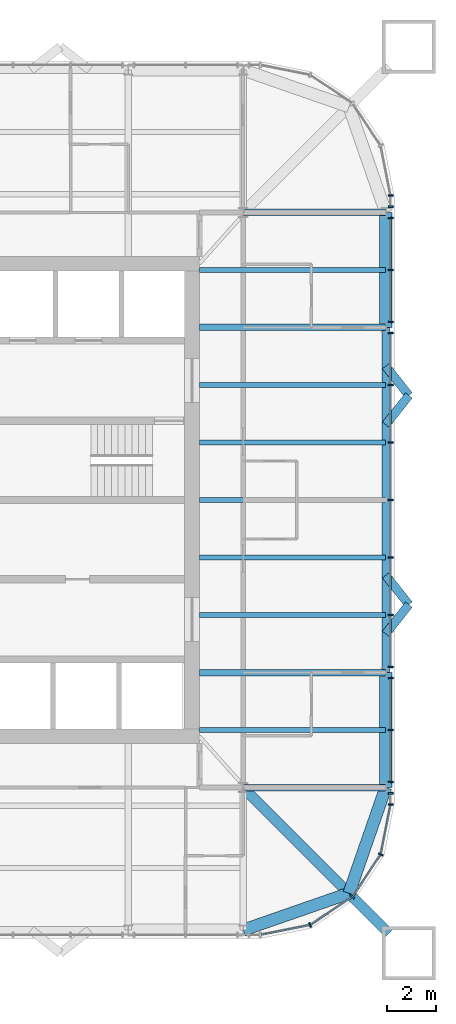
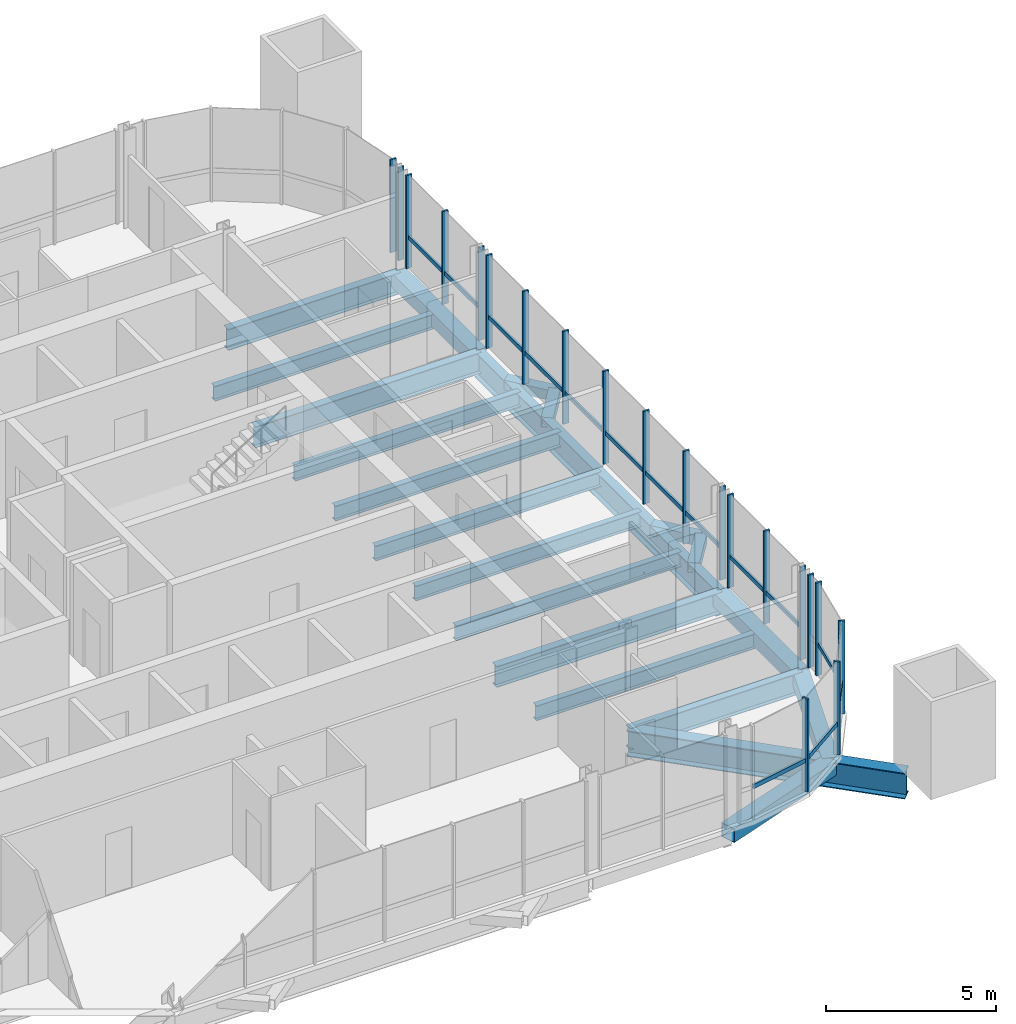
# One storey, part 5 of 17: 34 members, 21 beams, 6 elements without a shape of their own.
"""IFC4 building model written with IfcOpenShell, lengths in metres."""

from ifc_helpers import new_model, si_unit, direction, frame, origin, origin_2d, place, context, subcontext, project, spatial, rectangle, hollow_rectangle, i_section, extrude, material, material_profile, profile_set, type_object, element, aggregate, save


model = new_model("IFC4")

# Units and contexts
model_context = context("Model", 3, precision=1e-05, world=origin(), true_north=direction((0.0, 1.0)))
body_context = subcontext(model_context, "Body", "Model", "MODEL_VIEW")
ifc_project = project(units=[si_unit("LENGTHUNIT", "METRE"), si_unit("AREAUNIT", "SQUARE_METRE"), si_unit("VOLUMEUNIT", "CUBIC_METRE"), si_unit("PLANEANGLEUNIT", "RADIAN"), si_unit("MASSUNIT", "GRAM", prefix="KILO")], contexts=[model_context])

# Site, building, storey
site_placement = place(None, origin())
site = spatial("IfcSite", under=ifc_project, at=site_placement, CompositionType="ELEMENT")
building_placement = place(site_placement, origin())
building = spatial("IfcBuilding", under=site, at=building_placement, Name="Turquesa Mirador Hotel Tower", CompositionType="ELEMENT")
storey_placement = place(building_placement, frame((0.0, 0.0, 244.199951171875)))
storey = spatial("IfcBuildingStorey", under=building, at=storey_placement, Name="L66", CompositionType="ELEMENT", Elevation=244.199951171875)

# Beams
ifc_material_1 = material(Name="Steel ASTM A572 Grade 50", Category="steel")
ifc_material_profile_1 = material_profile(ifc_material_1, hollow_rectangle(XDim=0.5, YDim=0.5, WallThickness=0.01611328125, at=origin_2d()), Name="BOX500X500X16")
ifc_profile_set_1 = profile_set([ifc_material_profile_1], Name="Steel ASTM A572 Grade 50")
beam_type_1 = type_object("IfcBeamType", Name="BEAM BOX500X500X16", PredefinedType="BEAM", material=ifc_profile_set_1)
for number, where, z_axis, x_axis, name in (
    (1, (72.64990234375, 33.199951171875, -0.419921875), (0.0, 1.0, 0.0), (-1.0, 0.0, 0.0), "EB-L66-E-L"),
    (2, (72.64990234375, 52.080078125, -0.419921875), (0.0, 1.0, 0.0), (-1.0, 0.0, 0.0), "EB-L66-E-R"),
):
    element("IfcBeam", number, at=place(storey_placement, frame(where, z_axis=z_axis, x_axis=x_axis)), inside=storey, type_object=beam_type_1, Name=name, PredefinedType="BEAM", context=body_context, shape_type="SweptSolid", body=[
        extrude(hollow_rectangle(XDim=0.5, YDim=0.5, WallThickness=0.01611328125, at=origin_2d()), origin(), (0.0, 0.0, 1.0), 4.719970703125),
    ])
for number, where, z_axis, x_axis, name in (
    (3, (72.64990234375, 33.199951171875, -0.419921875), (-0.328170356092, -0.944618556552, 0.0), (0.944618556552, -0.328170356092, 0.0), "KE-L66-4-0"),
    (4, (71.1416015625, 28.8583984375, -0.419921875), (-0.944618556552, -0.328170356092, 0.0), (0.328170356092, -0.944618556552, 0.0), "KE-L66-4-1"),
):
    element("IfcBeam", number, at=place(storey_placement, frame(where, z_axis=z_axis, x_axis=x_axis)), inside=storey, type_object=beam_type_1, Name=name, PredefinedType="BEAM", context=body_context, shape_type="SweptSolid", body=[
        extrude(hollow_rectangle(XDim=0.5, YDim=0.5, WallThickness=0.01611328125, at=origin_2d()), origin(), (0.0, 0.0, 1.0), 4.59619140625),
    ])
ifc_material_2 = material(Name="Steel ASTM A992 Grade 50", Category="steel")
ifc_material_profile_2 = material_profile(ifc_material_2, i_section(OverallWidth=0.209228515625, OverallDepth=0.533447265625, WebThickness=0.01025390625, FlangeThickness=0.015625, at=origin_2d()), Name="W21X62")
ifc_profile_set_2 = profile_set([ifc_material_profile_2], Name="Steel ASTM A992 Grade 50")
beam_type_2 = type_object("IfcBeamType", Name="BEAM W21X62", PredefinedType="BEAM", material=ifc_profile_set_2)
for number, where, z_axis, x_axis, name in (
    (5, (72.64990234375, 35.56005859375, -0.436767578125), (-1.0, 0.0, 0.0), (0.0, -1.0, 0.0), "BM-L66-E--9.44"),
    (6, (72.64990234375, 40.280029296875, -0.436767578125), (-1.0, 0.0, 0.0), (0.0, -1.0, 0.0), "BM-L66-E--4.72"),
    (7, (72.64990234375, 42.639892578125, -0.436767578125), (-1.0, 0.0, 0.0), (0.0, -1.0, 0.0), "BM-L66-E--2.36"),
    (8, (72.64990234375, 45.0, -0.436767578125), (-1.0, 0.0, 0.0), (0.0, -1.0, 0.0), "BM-L66-E-+0.00"),
    (9, (72.64990234375, 47.360107421875, -0.436767578125), (-1.0, 0.0, 0.0), (0.0, -1.0, 0.0), "BM-L66-E-+2.36"),
    (10, (72.64990234375, 49.719970703125, -0.436767578125), (-1.0, 0.0, 0.0), (0.0, -1.0, 0.0), "BM-L66-E-+4.72"),
    (11, (72.64990234375, 54.43994140625, -0.436767578125), (-1.0, 0.0, 0.0), (0.0, -1.0, 0.0), "BM-L66-E-+9.44"),
):
    element("IfcBeam", number, at=place(storey_placement, frame(where, z_axis=z_axis, x_axis=x_axis)), inside=storey, type_object=beam_type_2, Name=name, PredefinedType="BEAM", context=body_context, shape_type="SweptSolid", body=[
        extrude(i_section(OverallWidth=0.209228515625, OverallDepth=0.533447265625, WebThickness=0.01025390625, FlangeThickness=0.015625, at=origin_2d()), origin(), (0.0, 0.0, 1.0), 7.64990234375),
    ])
ifc_material_3 = material(Name="Steel ASTM A992 Grade 50", Category="steel")
ifc_material_profile_3 = material_profile(ifc_material_3, i_section(OverallWidth=0.2666015625, OverallDepth=0.7568359375, WebThickness=0.013916015625, FlangeThickness=0.019287109375, at=origin_2d()), Name="W30X108")
ifc_profile_set_3 = profile_set([ifc_material_profile_3], Name="Steel ASTM A992 Grade 50")
beam_type_3 = type_object("IfcBeamType", Name="BEAM W30X108", PredefinedType="BEAM", material=ifc_profile_set_3)
for number, where, z_axis, x_axis, name in (
    (12, (72.64990234375, 37.919921875, -0.54833984375), (-1.0, 0.0, 0.0), (0.0, -1.0, 0.0), "GD-L66-E--7.08"),
    (13, (72.64990234375, 52.080078125, -0.54833984375), (-1.0, 0.0, 0.0), (0.0, -1.0, 0.0), "GD-L66-E-+7.08"),
):
    element("IfcBeam", number, at=place(storey_placement, frame(where, z_axis=z_axis, x_axis=x_axis)), inside=storey, type_object=beam_type_3, Name=name, PredefinedType="BEAM", context=body_context, shape_type="SweptSolid", body=[
        extrude(i_section(OverallWidth=0.2666015625, OverallDepth=0.7568359375, WebThickness=0.013916015625, FlangeThickness=0.019287109375, at=origin_2d()), origin(), (0.0, 0.0, 1.0), 7.64990234375),
    ])
for number, where, z_axis, x_axis, name in (
    (14, (72.64990234375, 33.199951171875, -0.54833984375), (-1.0, 0.0, 0.0), (0.0, -1.0, 0.0), "GK-L66-E--11.80"),
    (15, (72.64990234375, 56.800048828125, -0.54833984375), (-1.0, 0.0, 0.0), (0.0, -1.0, 0.0), "GK-L66-E-+11.80"),
):
    element("IfcBeam", number, at=place(storey_placement, frame(where, z_axis=z_axis, x_axis=x_axis)), inside=storey, type_object=beam_type_3, Name=name, PredefinedType="BEAM", context=body_context, shape_type="SweptSolid", body=[
        extrude(i_section(OverallWidth=0.2666015625, OverallDepth=0.7568359375, WebThickness=0.013916015625, FlangeThickness=0.019287109375, at=origin_2d()), origin(), (0.0, 0.0, 1.0), 5.849853515625),
    ])
ifc_material_4 = material(Name="Steel ASTM A992 Grade 50", Category="steel")
ifc_material_profile_4 = material_profile(ifc_material_4, i_section(OverallWidth=0.3046875, OverallDepth=0.911865234375, WebThickness=0.015869140625, FlangeThickness=0.02392578125, at=origin_2d()), Name="W36X150")
ifc_profile_set_4 = profile_set([ifc_material_profile_4], Name="Steel ASTM A992 Grade 50")
beam_type_4 = type_object("IfcBeamType", Name="BEAM W36X150", PredefinedType="BEAM", material=ifc_profile_set_4)
beam_1_placement = place(storey_placement, frame((72.64990234375, 37.919921875, -0.6259765625), z_axis=(0.0, 1.0, 0.0), x_axis=(-1.0, 0.0, 0.0)))
element("IfcBeam", 16, at=beam_1_placement, inside=storey, type_object=beam_type_4, Name="EB-L66-E-C", PredefinedType="BEAM", context=body_context, shape_type="SweptSolid", body=[
    extrude(i_section(OverallWidth=0.3046875, OverallDepth=0.911865234375, WebThickness=0.015869140625, FlangeThickness=0.02392578125, at=origin_2d()), origin(), (0.0, 0.0, 1.0), 14.16015625),
])
ifc_material_5 = material(Name="Steel ASTM A992 Grade 50", Category="steel")
ifc_material_profile_5 = material_profile(ifc_material_5, i_section(OverallWidth=0.419189453125, OverallDepth=0.927001953125, WebThickness=0.019287109375, FlangeThickness=0.031982421875, at=origin_2d()), Name="W36X231")
ifc_profile_set_5 = profile_set([ifc_material_profile_5], Name="Steel ASTM A992 Grade 50")
beam_type_5 = type_object("IfcBeamType", Name="BEAM W36X231", PredefinedType="BEAM", material=ifc_profile_set_5)
beam_2_placement = place(storey_placement, frame((66.800048828125, 33.199951171875, -0.633544921875), z_axis=(0.707106781187, -0.707106781187, 0.0), x_axis=(0.707106781187, 0.707106781187, 0.0)))
element("IfcBeam", 17, at=beam_2_placement, inside=storey, type_object=beam_type_5, Name="KD-L66-4", PredefinedType="BEAM", context=body_context, shape_type="SweptSolid", body=[
    extrude(i_section(OverallWidth=0.419189453125, OverallDepth=0.927001953125, WebThickness=0.019287109375, FlangeThickness=0.031982421875, at=origin_2d()), origin(), (0.0, 0.0, 1.0), 8.46240234375),
])
ifc_material_6 = material(Name="Steel ASTM A500 Grade C", Category="steel")
ifc_material_profile_6 = material_profile(ifc_material_6, hollow_rectangle(XDim=0.355712890625, YDim=0.355712890625, WallThickness=0.0146484375, at=origin_2d()), Name="HSS14X14X5/8")
ifc_profile_set_6 = profile_set([ifc_material_profile_6], Name="Steel ASTM A500 Grade C")
beam_type_6 = type_object("IfcBeamType", Name="BRACE STRUT HSS14X14X5/8", PredefinedType="BEAM", material=ifc_profile_set_6)
for number, where, z_axis, x_axis, name in (
    (18, (73.60009765625, 40.707763671875, -0.34765625), (-0.620796907089, -0.783971428146, 0.0), (0.783971428146, -0.620796907089, 0.0), "Brace strut"),
    (19, (73.60009765625, 40.707763671875, -0.34765625), (-0.620796907089, 0.783971428146, 0.0), (-0.783971428146, -0.620796907089, 0.0), "Brace strut"),
    (20, (73.60009765625, 49.292236328125, -0.34765625), (-0.620796907089, -0.783971428146, 0.0), (0.783971428146, -0.620796907089, 0.0), "Brace strut"),
    (21, (73.60009765625, 49.292236328125, -0.34765625), (-0.620796907089, 0.783971428146, 0.0), (-0.783971428146, -0.620796907089, 0.0), "Brace strut"),
):
    element("IfcBeam", number, at=place(storey_placement, frame(where, z_axis=z_axis, x_axis=x_axis)), inside=storey, type_object=beam_type_6, Name=name, PredefinedType="BEAM", context=body_context, shape_type="SweptSolid", body=[
        extrude(hollow_rectangle(XDim=0.355712890625, YDim=0.355712890625, WallThickness=0.0146484375, at=origin_2d()), origin(), (0.0, 0.0, 1.0), 1.530517578125),
    ])

# Curtain wall, members
ifc_material_7 = material(Name="Aluminium extrusion", Category="aluminium")
curtain_wall_type = type_object("IfcCurtainWallType", Name="CW-4 SUITE FRITTED CURTAIN WALL", PredefinedType="USERDEFINED", material=ifc_material_7)
curtain_wall_1_placement = place(storey_placement, origin())
curtain_wall_1 = element("IfcCurtainWall", 22, at=curtain_wall_1_placement, inside=storey, type_object=curtain_wall_type, Name="CW-4 SUITE FRITTED CURTAIN WALL L66", ObjectType="CURTAIN WALL", PredefinedType="USERDEFINED")
ifc_material_8 = material(Name="Aluminium extrusion", Category="aluminium")
ifc_material_profile_7 = material_profile(ifc_material_8, rectangle(XDim=0.06494140625, YDim=0.199951171875, at=origin_2d()), Name="MULLION 65X200")
ifc_profile_set_7 = profile_set([ifc_material_profile_7], Name="Aluminium extrusion")
member_type_1 = type_object("IfcMemberType", Name="CW MULLION 65X200", PredefinedType="MULLION", material=ifc_profile_set_7)
member_1_placement = place(storey_placement, frame((69.54736328125, 27.55712890625, 0.0), z_axis=(0.0, 0.0, 1.0), x_axis=(0.923879532511, 0.382683432365, 0.0)))
member_1 = element("IfcMember", 23, at=member_1_placement, type_object=member_type_1, Name="Mullion", PredefinedType="MULLION", context=body_context, shape_type="SweptSolid", body=[
    extrude(rectangle(XDim=0.06494140625, YDim=0.199951171875, at=origin_2d()), origin(), (0.0, 0.0, 1.0), 3.330078125),
])
member_2_placement = place(storey_placement, frame((71.282958984375, 28.717041015625, 0.0), z_axis=(0.0, 0.0, 1.0), x_axis=(0.707106781187, 0.707106781187, 0.0)))
member_2 = element("IfcMember", 24, at=member_2_placement, type_object=member_type_1, Name="Mullion", PredefinedType="MULLION", context=body_context, shape_type="SweptSolid", body=[
    extrude(rectangle(XDim=0.06494140625, YDim=0.199951171875, at=origin_2d()), origin(), (0.0, 0.0, 1.0), 3.330078125),
])
member_3_placement = place(storey_placement, frame((72.44287109375, 30.45263671875, 0.0), z_axis=(0.0, 0.0, 1.0), x_axis=(0.382683432365, 0.923879532511, 0.0)))
member_3 = element("IfcMember", 25, at=member_3_placement, type_object=member_type_1, Name="Mullion", PredefinedType="MULLION", context=body_context, shape_type="SweptSolid", body=[
    extrude(rectangle(XDim=0.06494140625, YDim=0.199951171875, at=origin_2d()), origin(), (0.0, 0.0, 1.0), 3.330078125),
])

curtain_wall_2_placement = place(storey_placement, origin())
curtain_wall_2 = element("IfcCurtainWall", 26, at=curtain_wall_2_placement, inside=storey, type_object=curtain_wall_type, Name="CW-4 SUITE FRITTED CURTAIN WALL L66", ObjectType="CURTAIN WALL", PredefinedType="USERDEFINED")
member_4_placement = place(storey_placement, frame((72.85009765625, 32.5, 0.0), z_axis=(0.0, 0.0, 1.0), x_axis=(0.0, 1.0, 0.0)))
member_4 = element("IfcMember", 27, at=member_4_placement, type_object=member_type_1, Name="Mullion", PredefinedType="MULLION", context=body_context, shape_type="SweptSolid", body=[
    extrude(rectangle(XDim=0.06494140625, YDim=0.199951171875, at=origin_2d()), origin(), (0.0, 0.0, 1.0), 3.330078125),
])
member_5_placement = place(storey_placement, frame((72.85009765625, 32.966064453125, 0.0), z_axis=(0.0, 0.0, 1.0), x_axis=(0.0, 1.0, 0.0)))
member_5 = element("IfcMember", 28, at=member_5_placement, type_object=member_type_1, Name="Mullion", PredefinedType="MULLION", context=body_context, shape_type="SweptSolid", body=[
    extrude(rectangle(XDim=0.06494140625, YDim=0.199951171875, at=origin_2d()), origin(), (0.0, 0.0, 1.0), 3.330078125),
])
aggregate(curtain_wall_2, [member_4, member_5])

curtain_wall_3_placement = place(storey_placement, origin())
curtain_wall_3 = element("IfcCurtainWall", 29, at=curtain_wall_3_placement, inside=storey, type_object=curtain_wall_type, Name="CW-4 SUITE FRITTED CURTAIN WALL L66", ObjectType="CURTAIN WALL", PredefinedType="USERDEFINED")
member_6_placement = place(storey_placement, frame((72.85009765625, 33.433837890625, 0.0), z_axis=(0.0, 0.0, 1.0), x_axis=(0.0, 1.0, 0.0)))
member_6 = element("IfcMember", 30, at=member_6_placement, type_object=member_type_1, Name="Mullion", PredefinedType="MULLION", context=body_context, shape_type="SweptSolid", body=[
    extrude(rectangle(XDim=0.06494140625, YDim=0.199951171875, at=origin_2d()), origin(), (0.0, 0.0, 1.0), 3.330078125),
])
member_7_placement = place(storey_placement, frame((72.85009765625, 35.56005859375, 0.0), z_axis=(0.0, 0.0, 1.0), x_axis=(0.0, 1.0, 0.0)))
member_7 = element("IfcMember", 31, at=member_7_placement, type_object=member_type_1, Name="Mullion", PredefinedType="MULLION", context=body_context, shape_type="SweptSolid", body=[
    extrude(rectangle(XDim=0.06494140625, YDim=0.199951171875, at=origin_2d()), origin(), (0.0, 0.0, 1.0), 3.330078125),
])
member_8_placement = place(storey_placement, frame((72.85009765625, 37.68603515625, 0.0), z_axis=(0.0, 0.0, 1.0), x_axis=(0.0, 1.0, 0.0)))
member_8 = element("IfcMember", 32, at=member_8_placement, type_object=member_type_1, Name="Mullion", PredefinedType="MULLION", context=body_context, shape_type="SweptSolid", body=[
    extrude(rectangle(XDim=0.06494140625, YDim=0.199951171875, at=origin_2d()), origin(), (0.0, 0.0, 1.0), 3.330078125),
])

curtain_wall_4_placement = place(storey_placement, origin())
curtain_wall_4 = element("IfcCurtainWall", 33, at=curtain_wall_4_placement, inside=storey, type_object=curtain_wall_type, Name="CW-4 SUITE FRITTED CURTAIN WALL L66", ObjectType="CURTAIN WALL", PredefinedType="USERDEFINED")
member_9_placement = place(storey_placement, frame((72.85009765625, 38.15380859375, 0.0), z_axis=(0.0, 0.0, 1.0), x_axis=(0.0, 1.0, 0.0)))
member_9 = element("IfcMember", 34, at=member_9_placement, type_object=member_type_1, Name="Mullion", PredefinedType="MULLION", context=body_context, shape_type="SweptSolid", body=[
    extrude(rectangle(XDim=0.06494140625, YDim=0.199951171875, at=origin_2d()), origin(), (0.0, 0.0, 1.0), 3.330078125),
])
member_10_placement = place(storey_placement, frame((72.85009765625, 40.280029296875, 0.0), z_axis=(0.0, 0.0, 1.0), x_axis=(0.0, 1.0, 0.0)))
member_10 = element("IfcMember", 35, at=member_10_placement, type_object=member_type_1, Name="Mullion", PredefinedType="MULLION", context=body_context, shape_type="SweptSolid", body=[
    extrude(rectangle(XDim=0.06494140625, YDim=0.199951171875, at=origin_2d()), origin(), (0.0, 0.0, 1.0), 3.330078125),
])
member_11_placement = place(storey_placement, frame((72.85009765625, 42.639892578125, 0.0), z_axis=(0.0, 0.0, 1.0), x_axis=(0.0, 1.0, 0.0)))
member_11 = element("IfcMember", 36, at=member_11_placement, type_object=member_type_1, Name="Mullion", PredefinedType="MULLION", context=body_context, shape_type="SweptSolid", body=[
    extrude(rectangle(XDim=0.06494140625, YDim=0.199951171875, at=origin_2d()), origin(), (0.0, 0.0, 1.0), 3.330078125),
])
member_12_placement = place(storey_placement, frame((72.85009765625, 45.0, 0.0), z_axis=(0.0, 0.0, 1.0), x_axis=(0.0, 1.0, 0.0)))
member_12 = element("IfcMember", 37, at=member_12_placement, type_object=member_type_1, Name="Mullion", PredefinedType="MULLION", context=body_context, shape_type="SweptSolid", body=[
    extrude(rectangle(XDim=0.06494140625, YDim=0.199951171875, at=origin_2d()), origin(), (0.0, 0.0, 1.0), 3.330078125),
])
member_13_placement = place(storey_placement, frame((72.85009765625, 47.360107421875, 0.0), z_axis=(0.0, 0.0, 1.0), x_axis=(0.0, 1.0, 0.0)))
member_13 = element("IfcMember", 38, at=member_13_placement, type_object=member_type_1, Name="Mullion", PredefinedType="MULLION", context=body_context, shape_type="SweptSolid", body=[
    extrude(rectangle(XDim=0.06494140625, YDim=0.199951171875, at=origin_2d()), origin(), (0.0, 0.0, 1.0), 3.330078125),
])
member_14_placement = place(storey_placement, frame((72.85009765625, 49.719970703125, 0.0), z_axis=(0.0, 0.0, 1.0), x_axis=(0.0, 1.0, 0.0)))
member_14 = element("IfcMember", 39, at=member_14_placement, type_object=member_type_1, Name="Mullion", PredefinedType="MULLION", context=body_context, shape_type="SweptSolid", body=[
    extrude(rectangle(XDim=0.06494140625, YDim=0.199951171875, at=origin_2d()), origin(), (0.0, 0.0, 1.0), 3.330078125),
])
member_15_placement = place(storey_placement, frame((72.85009765625, 51.84619140625, 0.0), z_axis=(0.0, 0.0, 1.0), x_axis=(0.0, 1.0, 0.0)))
member_15 = element("IfcMember", 40, at=member_15_placement, type_object=member_type_1, Name="Mullion", PredefinedType="MULLION", context=body_context, shape_type="SweptSolid", body=[
    extrude(rectangle(XDim=0.06494140625, YDim=0.199951171875, at=origin_2d()), origin(), (0.0, 0.0, 1.0), 3.330078125),
])

curtain_wall_5_placement = place(storey_placement, origin())
curtain_wall_5 = element("IfcCurtainWall", 41, at=curtain_wall_5_placement, inside=storey, type_object=curtain_wall_type, Name="CW-4 SUITE FRITTED CURTAIN WALL L66", ObjectType="CURTAIN WALL", PredefinedType="USERDEFINED")
member_16_placement = place(storey_placement, frame((72.85009765625, 52.31396484375, 0.0), z_axis=(0.0, 0.0, 1.0), x_axis=(0.0, 1.0, 0.0)))
member_16 = element("IfcMember", 42, at=member_16_placement, type_object=member_type_1, Name="Mullion", PredefinedType="MULLION", context=body_context, shape_type="SweptSolid", body=[
    extrude(rectangle(XDim=0.06494140625, YDim=0.199951171875, at=origin_2d()), origin(), (0.0, 0.0, 1.0), 3.330078125),
])
member_17_placement = place(storey_placement, frame((72.85009765625, 54.43994140625, 0.0), z_axis=(0.0, 0.0, 1.0), x_axis=(0.0, 1.0, 0.0)))
member_17 = element("IfcMember", 43, at=member_17_placement, type_object=member_type_1, Name="Mullion", PredefinedType="MULLION", context=body_context, shape_type="SweptSolid", body=[
    extrude(rectangle(XDim=0.06494140625, YDim=0.199951171875, at=origin_2d()), origin(), (0.0, 0.0, 1.0), 3.330078125),
])
member_18_placement = place(storey_placement, frame((72.85009765625, 56.566162109375, 0.0), z_axis=(0.0, 0.0, 1.0), x_axis=(0.0, 1.0, 0.0)))
member_18 = element("IfcMember", 44, at=member_18_placement, type_object=member_type_1, Name="Mullion", PredefinedType="MULLION", context=body_context, shape_type="SweptSolid", body=[
    extrude(rectangle(XDim=0.06494140625, YDim=0.199951171875, at=origin_2d()), origin(), (0.0, 0.0, 1.0), 3.330078125),
])

curtain_wall_6_placement = place(storey_placement, origin())
curtain_wall_6 = element("IfcCurtainWall", 45, at=curtain_wall_6_placement, inside=storey, type_object=curtain_wall_type, Name="CW-4 SUITE FRITTED CURTAIN WALL L66", ObjectType="CURTAIN WALL", PredefinedType="USERDEFINED")
member_19_placement = place(storey_placement, frame((72.85009765625, 57.033935546875, 0.0), z_axis=(0.0, 0.0, 1.0), x_axis=(0.0, 1.0, 0.0)))
member_19 = element("IfcMember", 46, at=member_19_placement, type_object=member_type_1, Name="Mullion", PredefinedType="MULLION", context=body_context, shape_type="SweptSolid", body=[
    extrude(rectangle(XDim=0.06494140625, YDim=0.199951171875, at=origin_2d()), origin(), (0.0, 0.0, 1.0), 3.330078125),
])
member_20_placement = place(storey_placement, frame((72.85009765625, 57.5, 0.0), z_axis=(0.0, 0.0, 1.0), x_axis=(0.0, 1.0, 0.0)))
member_20 = element("IfcMember", 47, at=member_20_placement, type_object=member_type_1, Name="Mullion", PredefinedType="MULLION", context=body_context, shape_type="SweptSolid", body=[
    extrude(rectangle(XDim=0.06494140625, YDim=0.199951171875, at=origin_2d()), origin(), (0.0, 0.0, 1.0), 3.330078125),
])
aggregate(curtain_wall_6, [member_19, member_20])

# Member
ifc_material_9 = material(Name="Aluminium extrusion", Category="aluminium")
ifc_material_profile_8 = material_profile(ifc_material_9, rectangle(XDim=0.06494140625, YDim=0.14990234375, at=origin_2d()), Name="TRANSOM 65X150")
ifc_profile_set_8 = profile_set([ifc_material_profile_8], Name="Aluminium extrusion")
member_type_2 = type_object("IfcMemberType", Name="CW TRANSOM 65X150", PredefinedType="USERDEFINED", material=ifc_profile_set_8)
member_21_placement = place(storey_placement, frame((67.531982421875, 27.15625, 1.10009765625), z_axis=(0.980761343592, 0.195210621934, 0.0), x_axis=(-0.195210621934, 0.980761343592, 0.0)))
member_21 = element("IfcMember", 48, at=member_21_placement, type_object=member_type_2, Name="Transom", ObjectType="TRANSOM", PredefinedType="USERDEFINED", context=body_context, shape_type="SweptSolid", body=[
    extrude(rectangle(XDim=0.06494140625, YDim=0.14990234375, at=origin_2d()), origin(), (0.0, 0.0, 1.0), 2.022216796875),
])

member_22_placement = place(storey_placement, frame((69.574462890625, 27.5751953125, 1.10009765625), z_axis=(0.831436961136, 0.555619095835, 0.0), x_axis=(-0.555619095835, 0.831436961136, 0.0)))
member_22 = element("IfcMember", 49, at=member_22_placement, type_object=member_type_2, Name="Transom", ObjectType="TRANSOM", PredefinedType="USERDEFINED", context=body_context, shape_type="SweptSolid", body=[
    extrude(rectangle(XDim=0.06494140625, YDim=0.14990234375, at=origin_2d()), origin(), (0.0, 0.0, 1.0), 2.0224609375),
])

member_23_placement = place(storey_placement, frame((71.301025390625, 28.743896484375, 1.10009765625), z_axis=(0.555619095835, 0.831436961136, 0.0), x_axis=(-0.831436961136, 0.555619095835, 0.0)))
member_23 = element("IfcMember", 50, at=member_23_placement, type_object=member_type_2, Name="Transom", ObjectType="TRANSOM", PredefinedType="USERDEFINED", context=body_context, shape_type="SweptSolid", body=[
    extrude(rectangle(XDim=0.06494140625, YDim=0.14990234375, at=origin_2d()), origin(), (0.0, 0.0, 1.0), 2.0224609375),
])

member_24_placement = place(storey_placement, frame((72.448974609375, 30.484619140625, 1.10009765625), z_axis=(0.195210621934, 0.980761343592, 0.0), x_axis=(-0.980761343592, 0.195210621934, 0.0)))
member_24 = element("IfcMember", 51, at=member_24_placement, type_object=member_type_2, Name="Transom", ObjectType="TRANSOM", PredefinedType="USERDEFINED", context=body_context, shape_type="SweptSolid", body=[
    extrude(rectangle(XDim=0.06494140625, YDim=0.14990234375, at=origin_2d()), origin(), (0.0, 0.0, 1.0), 2.022216796875),
])

aggregate(curtain_wall_1, [member_1, member_2, member_3, member_21, member_22, member_23, member_24])

member_25_placement = place(storey_placement, frame((72.85009765625, 33.46630859375, 1.10009765625), z_axis=(0.0, 1.0, 0.0), x_axis=(-1.0, 0.0, 0.0)))
member_25 = element("IfcMember", 52, at=member_25_placement, type_object=member_type_2, Name="Transom", ObjectType="TRANSOM", PredefinedType="USERDEFINED", context=body_context, shape_type="SweptSolid", body=[
    extrude(rectangle(XDim=0.06494140625, YDim=0.14990234375, at=origin_2d()), origin(), (0.0, 0.0, 1.0), 2.061279296875),
])

member_26_placement = place(storey_placement, frame((72.85009765625, 35.592529296875, 1.10009765625), z_axis=(0.0, 1.0, 0.0), x_axis=(-1.0, 0.0, 0.0)))
member_26 = element("IfcMember", 53, at=member_26_placement, type_object=member_type_2, Name="Transom", ObjectType="TRANSOM", PredefinedType="USERDEFINED", context=body_context, shape_type="SweptSolid", body=[
    extrude(rectangle(XDim=0.06494140625, YDim=0.14990234375, at=origin_2d()), origin(), (0.0, 0.0, 1.0), 2.06103515625),
])

aggregate(curtain_wall_3, [member_6, member_7, member_8, member_25, member_26])

member_27_placement = place(storey_placement, frame((72.85009765625, 38.186279296875, 1.10009765625), z_axis=(0.0, 1.0, 0.0), x_axis=(-1.0, 0.0, 0.0)))
member_27 = element("IfcMember", 54, at=member_27_placement, type_object=member_type_2, Name="Transom", ObjectType="TRANSOM", PredefinedType="USERDEFINED", context=body_context, shape_type="SweptSolid", body=[
    extrude(rectangle(XDim=0.06494140625, YDim=0.14990234375, at=origin_2d()), origin(), (0.0, 0.0, 1.0), 2.061279296875),
])

member_28_placement = place(storey_placement, frame((72.85009765625, 40.3125, 1.10009765625), z_axis=(0.0, 1.0, 0.0), x_axis=(-1.0, 0.0, 0.0)))
member_28 = element("IfcMember", 55, at=member_28_placement, type_object=member_type_2, Name="Transom", ObjectType="TRANSOM", PredefinedType="USERDEFINED", context=body_context, shape_type="SweptSolid", body=[
    extrude(rectangle(XDim=0.06494140625, YDim=0.14990234375, at=origin_2d()), origin(), (0.0, 0.0, 1.0), 2.294921875),
])

member_29_placement = place(storey_placement, frame((72.85009765625, 42.672607421875, 1.10009765625), z_axis=(0.0, 1.0, 0.0), x_axis=(-1.0, 0.0, 0.0)))
member_29 = element("IfcMember", 56, at=member_29_placement, type_object=member_type_2, Name="Transom", ObjectType="TRANSOM", PredefinedType="USERDEFINED", context=body_context, shape_type="SweptSolid", body=[
    extrude(rectangle(XDim=0.06494140625, YDim=0.14990234375, at=origin_2d()), origin(), (0.0, 0.0, 1.0), 2.294921875),
])

member_30_placement = place(storey_placement, frame((72.85009765625, 45.032470703125, 1.10009765625), z_axis=(0.0, 1.0, 0.0), x_axis=(-1.0, 0.0, 0.0)))
member_30 = element("IfcMember", 57, at=member_30_placement, type_object=member_type_2, Name="Transom", ObjectType="TRANSOM", PredefinedType="USERDEFINED", context=body_context, shape_type="SweptSolid", body=[
    extrude(rectangle(XDim=0.06494140625, YDim=0.14990234375, at=origin_2d()), origin(), (0.0, 0.0, 1.0), 2.294921875),
])

member_31_placement = place(storey_placement, frame((72.85009765625, 47.392578125, 1.10009765625), z_axis=(0.0, 1.0, 0.0), x_axis=(-1.0, 0.0, 0.0)))
member_31 = element("IfcMember", 58, at=member_31_placement, type_object=member_type_2, Name="Transom", ObjectType="TRANSOM", PredefinedType="USERDEFINED", context=body_context, shape_type="SweptSolid", body=[
    extrude(rectangle(XDim=0.06494140625, YDim=0.14990234375, at=origin_2d()), origin(), (0.0, 0.0, 1.0), 2.294921875),
])

member_32_placement = place(storey_placement, frame((72.85009765625, 49.75244140625, 1.10009765625), z_axis=(0.0, 1.0, 0.0), x_axis=(-1.0, 0.0, 0.0)))
member_32 = element("IfcMember", 59, at=member_32_placement, type_object=member_type_2, Name="Transom", ObjectType="TRANSOM", PredefinedType="USERDEFINED", context=body_context, shape_type="SweptSolid", body=[
    extrude(rectangle(XDim=0.06494140625, YDim=0.14990234375, at=origin_2d()), origin(), (0.0, 0.0, 1.0), 2.061279296875),
])

aggregate(curtain_wall_4, [member_9, member_10, member_11, member_12, member_13, member_14, member_15, member_27, member_28, member_29, member_30, member_31, member_32])

member_33_placement = place(storey_placement, frame((72.85009765625, 52.346435546875, 1.10009765625), z_axis=(0.0, 1.0, 0.0), x_axis=(-1.0, 0.0, 0.0)))
member_33 = element("IfcMember", 60, at=member_33_placement, type_object=member_type_2, Name="Transom", ObjectType="TRANSOM", PredefinedType="USERDEFINED", context=body_context, shape_type="SweptSolid", body=[
    extrude(rectangle(XDim=0.06494140625, YDim=0.14990234375, at=origin_2d()), origin(), (0.0, 0.0, 1.0), 2.06103515625),
])

member_34_placement = place(storey_placement, frame((72.85009765625, 54.472412109375, 1.10009765625), z_axis=(0.0, 1.0, 0.0), x_axis=(-1.0, 0.0, 0.0)))
member_34 = element("IfcMember", 61, at=member_34_placement, type_object=member_type_2, Name="Transom", ObjectType="TRANSOM", PredefinedType="USERDEFINED", context=body_context, shape_type="SweptSolid", body=[
    extrude(rectangle(XDim=0.06494140625, YDim=0.14990234375, at=origin_2d()), origin(), (0.0, 0.0, 1.0), 2.061279296875),
])

aggregate(curtain_wall_5, [member_16, member_17, member_18, member_33, member_34])

save(model, "model.ifc")
